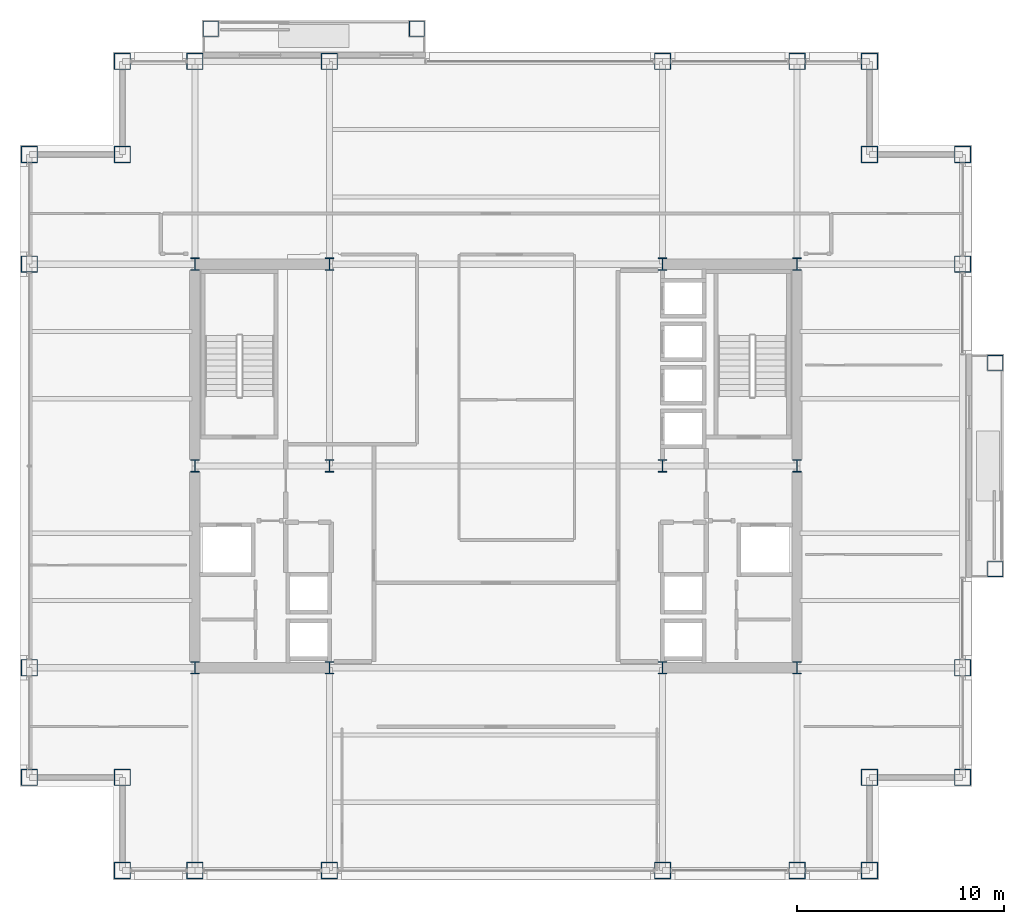
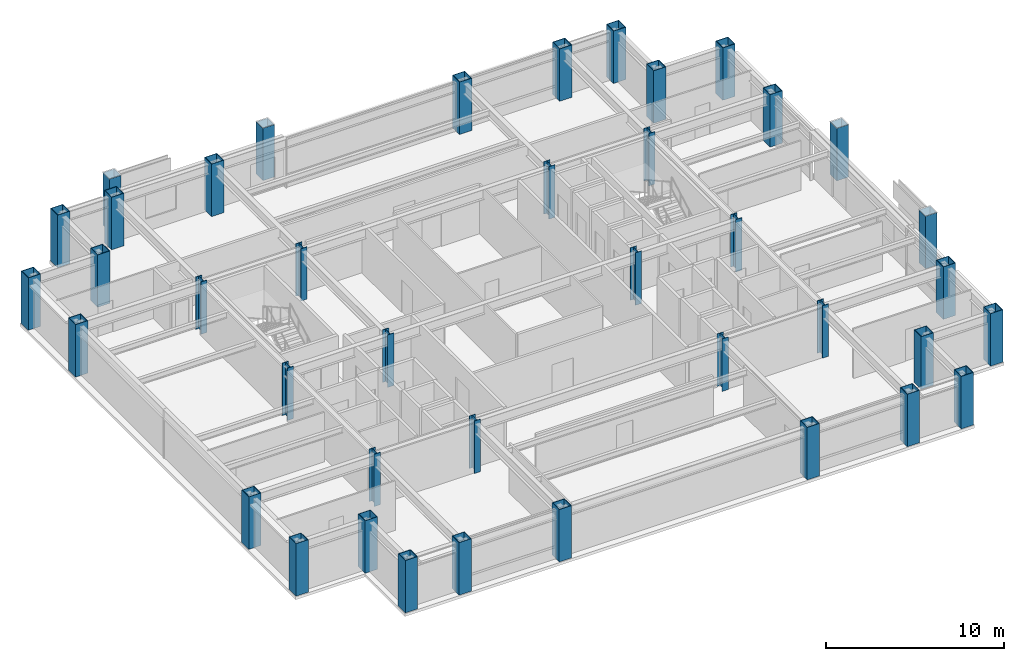
# One storey, part 1 of 29: 40 columns.
"""IFC4 building model written with IfcOpenShell, lengths in metres."""

from ifc_helpers import new_model, si_unit, direction, frame, origin, origin_2d, place, context, subcontext, project, spatial, hollow_rectangle, i_section, extrude, material, material_profile, profile_set, type_object, element, save


model = new_model("IFC4")

# Units and contexts
model_context = context("Model", 3, precision=1e-05, world=origin(), true_north=direction((0.0, 1.0)))
body_context = subcontext(model_context, "Body", "Model", "MODEL_VIEW")
ifc_project = project(units=[si_unit("LENGTHUNIT", "METRE"), si_unit("AREAUNIT", "SQUARE_METRE"), si_unit("VOLUMEUNIT", "CUBIC_METRE"), si_unit("PLANEANGLEUNIT", "RADIAN"), si_unit("MASSUNIT", "GRAM", prefix="KILO")], contexts=[model_context])

# Site, building, storey
site_placement = place(None, origin())
site = spatial("IfcSite", under=ifc_project, at=site_placement, CompositionType="ELEMENT")
building_placement = place(site_placement, origin())
building = spatial("IfcBuilding", under=site, at=building_placement, Name="Brelmoor Portico Tower", CompositionType="ELEMENT")
storey_placement = place(building_placement, frame((0.0, 0.0, 127.800048828125)))
storey = spatial("IfcBuildingStorey", under=building, at=storey_placement, Name="L33", CompositionType="ELEMENT", Elevation=127.800048828125)

# Columns
ifc_material = material(Name="Steel Q355B", Category="steel")
ifc_material_profile_1 = material_profile(ifc_material, hollow_rectangle(XDim=0.75, YDim=0.75, WallThickness=0.031982421875, at=origin_2d()), Name="BOX 750x750x32")
ifc_profile_set_1 = profile_set([ifc_material_profile_1], Name="Steel Q355B")
column_type_1 = type_object("IfcColumnType", Name="COL-MEGA-750", PredefinedType="COLUMN", material=ifc_profile_set_1)
for number, where, z_axis, x_axis, name in (
    (1, (-13.780029296875, 21.1298828125, 0.0), (0.0, 0.0, 1.0), (1.0, 0.0, 0.0), "L33 Proud Picture-Frame Pier PFJ-N1"),
    (2, (-3.820068359375, 21.1298828125, 0.0), (0.0, 0.0, 1.0), (1.0, 0.0, 0.0), "L33 Proud Picture-Frame Pier PFJ-N2"),
    (3, (24.1298828125, -4.97998046875, 0.0), (0.0, 0.0, 1.0), (0.0, 1.0, 0.0), "L33 Proud Picture-Frame Pier PFJ-E1"),
    (4, (24.1298828125, 4.97998046875, 0.0), (0.0, 0.0, 1.0), (0.0, 1.0, 0.0), "L33 Proud Picture-Frame Pier PFJ-E2"),
):
    element("IfcColumn", number, at=place(storey_placement, frame(where, z_axis=z_axis, x_axis=x_axis)), inside=storey, type_object=column_type_1, Name=name, PredefinedType="COLUMN", context=body_context, shape_type="SweptSolid", body=[
        extrude(hollow_rectangle(XDim=0.75, YDim=0.75, WallThickness=0.031982421875, at=origin_2d()), origin(), (0.0, 0.0, 1.0), 3.599853515625),
    ])
ifc_material_profile_2 = material_profile(ifc_material, hollow_rectangle(XDim=0.800048828125, YDim=0.800048828125, WallThickness=0.035888671875, at=origin_2d()), Name="BOX 800x800x36")
ifc_profile_set_2 = profile_set([ifc_material_profile_2], Name="Steel Q355B")
column_type_2 = type_object("IfcColumnType", Name="COL-MEGA-800", PredefinedType="COLUMN", material=ifc_profile_set_2)
for number, where, z_axis, x_axis, name in (
    (5, (-18.050048828125, -19.550048828125, 0.0), (0.0, 0.0, 1.0), (1.0, 0.0, 0.0), "L33 Perimeter Mega-Column PS01"),
    (6, (-14.550048828125, -19.550048828125, 0.0), (0.0, 0.0, 1.0), (1.0, 0.0, 0.0), "L33 Perimeter Mega-Column PS02"),
    (7, (-8.050048828125, -19.550048828125, 0.0), (0.0, 0.0, 1.0), (1.0, 0.0, 0.0), "L33 Perimeter Mega-Column PS03"),
    (8, (8.050048828125, -19.550048828125, 0.0), (0.0, 0.0, 1.0), (1.0, 0.0, 0.0), "L33 Perimeter Mega-Column PS04"),
    (9, (14.550048828125, -19.550048828125, 0.0), (0.0, 0.0, 1.0), (1.0, 0.0, 0.0), "L33 Perimeter Mega-Column PS05"),
    (10, (18.050048828125, -19.550048828125, 0.0), (0.0, 0.0, 1.0), (1.0, 0.0, 0.0), "L33 Perimeter Mega-Column PS06"),
    (11, (-18.050048828125, 19.550048828125, 0.0), (0.0, 0.0, 1.0), (1.0, 0.0, 0.0), "L33 Perimeter Mega-Column PN01"),
    (12, (-14.550048828125, 19.550048828125, 0.0), (0.0, 0.0, 1.0), (1.0, 0.0, 0.0), "L33 Perimeter Mega-Column PN02"),
    (13, (-8.050048828125, 19.550048828125, 0.0), (0.0, 0.0, 1.0), (1.0, 0.0, 0.0), "L33 Perimeter Mega-Column PN03"),
    (14, (8.050048828125, 19.550048828125, 0.0), (0.0, 0.0, 1.0), (1.0, 0.0, 0.0), "L33 Perimeter Mega-Column PN04"),
    (15, (14.550048828125, 19.550048828125, 0.0), (0.0, 0.0, 1.0), (1.0, 0.0, 0.0), "L33 Perimeter Mega-Column PN05"),
    (16, (18.050048828125, 19.550048828125, 0.0), (0.0, 0.0, 1.0), (1.0, 0.0, 0.0), "L33 Perimeter Mega-Column PN06"),
    (17, (-22.550048828125, -15.050048828125, 0.0), (0.0, 0.0, 1.0), (0.0, 1.0, 0.0), "L33 Perimeter Mega-Column PW01"),
    (18, (-22.550048828125, -9.75, 0.0), (0.0, 0.0, 1.0), (0.0, 1.0, 0.0), "L33 Perimeter Mega-Column PW02"),
    (19, (-22.550048828125, 9.75, 0.0), (0.0, 0.0, 1.0), (0.0, 1.0, 0.0), "L33 Perimeter Mega-Column PW03"),
    (20, (-22.550048828125, 15.050048828125, 0.0), (0.0, 0.0, 1.0), (0.0, 1.0, 0.0), "L33 Perimeter Mega-Column PW04"),
    (21, (22.550048828125, -15.050048828125, 0.0), (0.0, 0.0, 1.0), (0.0, 1.0, 0.0), "L33 Perimeter Mega-Column PE01"),
    (22, (22.550048828125, -9.75, 0.0), (0.0, 0.0, 1.0), (0.0, 1.0, 0.0), "L33 Perimeter Mega-Column PE02"),
    (23, (22.550048828125, 9.75, 0.0), (0.0, 0.0, 1.0), (0.0, 1.0, 0.0), "L33 Perimeter Mega-Column PE03"),
    (24, (22.550048828125, 15.050048828125, 0.0), (0.0, 0.0, 1.0), (0.0, 1.0, 0.0), "L33 Perimeter Mega-Column PE04"),
    (25, (-18.050048828125, 15.050048828125, 0.0), (0.0, 0.0, 1.0), (1.0, 0.0, 0.0), "L33 Perimeter Mega-Column PC-NW"),
    (26, (18.050048828125, 15.050048828125, 0.0), (0.0, 0.0, 1.0), (1.0, 0.0, 0.0), "L33 Perimeter Mega-Column PC-NE"),
    (27, (18.050048828125, -15.050048828125, 0.0), (0.0, 0.0, 1.0), (1.0, 0.0, 0.0), "L33 Perimeter Mega-Column PC-SE"),
    (28, (-18.050048828125, -15.050048828125, 0.0), (0.0, 0.0, 1.0), (1.0, 0.0, 0.0), "L33 Perimeter Mega-Column PC-SW"),
):
    element("IfcColumn", number, at=place(storey_placement, frame(where, z_axis=z_axis, x_axis=x_axis)), inside=storey, type_object=column_type_2, Name=name, PredefinedType="COLUMN", context=body_context, shape_type="SweptSolid", body=[
        extrude(hollow_rectangle(XDim=0.800048828125, YDim=0.800048828125, WallThickness=0.035888671875, at=origin_2d()), origin(), (0.0, 0.0, 1.0), 3.599853515625),
    ])
ifc_material_profile_3 = material_profile(ifc_material, i_section(OverallWidth=0.39990234375, OverallDepth=0.60009765625, WebThickness=0.02197265625, FlangeThickness=0.035888671875, at=origin_2d()), Name="HW 600x400x22x36")
ifc_profile_set_3 = profile_set([ifc_material_profile_3], Name="Steel Q355B")
column_type_3 = type_object("IfcColumnType", Name="COL-SPINE-600", PredefinedType="COLUMN", material=ifc_profile_set_3)
for number, where, z_axis, x_axis, name in (
    (29, (-14.550048828125, -9.75, 0.0), (0.0, 0.0, 1.0), (1.0, 0.0, 0.0), "L33 Core Spine Column CW-SW"),
    (30, (-14.550048828125, 0.0, 0.0), (0.0, 0.0, 1.0), (1.0, 0.0, 0.0), "L33 Core Spine Column CW-MW"),
    (31, (-14.550048828125, 9.75, 0.0), (0.0, 0.0, 1.0), (1.0, 0.0, 0.0), "L33 Core Spine Column CW-NW"),
    (32, (-8.050048828125, -9.75, 0.0), (0.0, 0.0, 1.0), (1.0, 0.0, 0.0), "L33 Core Spine Column CW-SE"),
    (33, (-8.050048828125, 0.0, 0.0), (0.0, 0.0, 1.0), (1.0, 0.0, 0.0), "L33 Core Spine Column CW-ME"),
    (34, (-8.050048828125, 9.75, 0.0), (0.0, 0.0, 1.0), (1.0, 0.0, 0.0), "L33 Core Spine Column CW-NE"),
    (35, (8.050048828125, -9.75, 0.0), (0.0, 0.0, 1.0), (1.0, 0.0, 0.0), "L33 Core Spine Column CE-SW"),
    (36, (8.050048828125, 0.0, 0.0), (0.0, 0.0, 1.0), (1.0, 0.0, 0.0), "L33 Core Spine Column CE-MW"),
    (37, (8.050048828125, 9.75, 0.0), (0.0, 0.0, 1.0), (1.0, 0.0, 0.0), "L33 Core Spine Column CE-NW"),
    (38, (14.550048828125, -9.75, 0.0), (0.0, 0.0, 1.0), (1.0, 0.0, 0.0), "L33 Core Spine Column CE-SE"),
    (39, (14.550048828125, 0.0, 0.0), (0.0, 0.0, 1.0), (1.0, 0.0, 0.0), "L33 Core Spine Column CE-ME"),
    (40, (14.550048828125, 9.75, 0.0), (0.0, 0.0, 1.0), (1.0, 0.0, 0.0), "L33 Core Spine Column CE-NE"),
):
    element("IfcColumn", number, at=place(storey_placement, frame(where, z_axis=z_axis, x_axis=x_axis)), inside=storey, type_object=column_type_3, Name=name, PredefinedType="COLUMN", context=body_context, shape_type="SweptSolid", body=[
        extrude(i_section(OverallWidth=0.39990234375, OverallDepth=0.60009765625, WebThickness=0.02197265625, FlangeThickness=0.035888671875, at=origin_2d()), origin(), (0.0, 0.0, 1.0), 3.599853515625),
    ])

save(model, "model.ifc")
